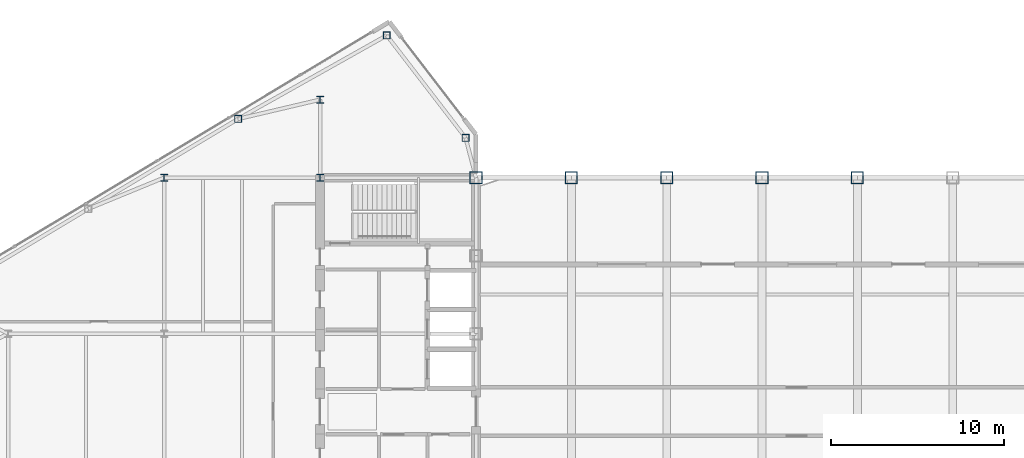
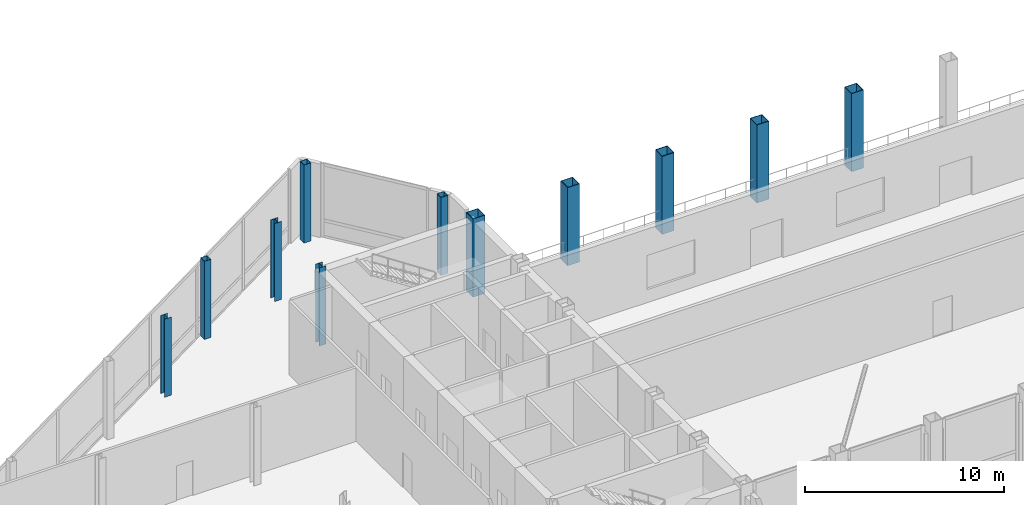
# One storey, part 3 of 28: 11 columns.
"""IFC4 building model written with IfcOpenShell, lengths in metres."""

from ifc_helpers import new_model, si_unit, direction, frame, origin, origin_2d, place, context, subcontext, project, spatial, hollow_rectangle, i_section, extrude, source, transform, mapped, material, material_profile, profile_set, type_object, type_shapes, element, save


model = new_model("IFC4")

# Units and contexts
model_context = context("Model", 3, precision=1e-05, world=origin(), true_north=direction((0.0, 1.0)))
body_context = subcontext(model_context, "Body", "Model", "MODEL_VIEW")
ifc_project = project(units=[si_unit("LENGTHUNIT", "METRE"), si_unit("AREAUNIT", "SQUARE_METRE"), si_unit("VOLUMEUNIT", "CUBIC_METRE"), si_unit("PLANEANGLEUNIT", "RADIAN"), si_unit("MASSUNIT", "GRAM", prefix="KILO")], contexts=[model_context])

# Site, building, storey
site_placement = place(None, origin())
site = spatial("IfcSite", under=ifc_project, at=site_placement, CompositionType="ELEMENT")
building_placement = place(site_placement, origin())
building = spatial("IfcBuilding", under=site, at=building_placement, Name="Seokmaru Belvedere", CompositionType="ELEMENT")
storey_placement = place(building_placement, frame((0.0, 0.0, 274.199951171875)))
storey = spatial("IfcBuildingStorey", under=building, at=storey_placement, Name="L72", CompositionType="ELEMENT", Elevation=274.199951171875)

# Columns
ifc_material = material(Name="Steel SM355 (355 MPa)", Category="steel")
ifc_material_profile_1 = material_profile(ifc_material, hollow_rectangle(XDim=0.699951171875, YDim=0.699951171875, WallThickness=0.030029296875, at=origin_2d()), Name="BOX-700x700x30")
ifc_profile_set_1 = profile_set([ifc_material_profile_1], Name="Steel SM355 (355 MPa)")
column_type_1 = type_object("IfcColumnType", Name="Upper Spine Column BOX-700", PredefinedType="COLUMN", material=ifc_profile_set_1)
shared_shape_1 = source(origin(), body_context, "Body", "SweptSolid", [
    extrude(hollow_rectangle(XDim=0.699951171875, YDim=0.699951171875, WallThickness=0.030029296875, at=origin_2d()), origin(), (0.0, 0.0, 1.0), 4.800048828125),
])
type_shapes(column_type_1, [shared_shape_1])
for number, where, z_axis, x_axis, name in (
    (1, (-27.5, 13.5, 0.0), (0.0, 0.0, 1.0), (1.0, 0.0, 0.0), "L72 Column WS6"),
    (2, (-22.0, 13.5, 0.0), (0.0, 0.0, 1.0), (1.0, 0.0, 0.0), "L72 Column BRN_1"),
    (3, (-16.5, 13.5, 0.0), (0.0, 0.0, 1.0), (1.0, 0.0, 0.0), "L72 Column BRN_2"),
    (4, (-11.0, 13.5, 0.0), (0.0, 0.0, 1.0), (1.0, 0.0, 0.0), "L72 Column BRN_3"),
    (5, (-5.5, 13.5, 0.0), (0.0, 0.0, 1.0), (1.0, 0.0, 0.0), "L72 Column BRN_4"),
):
    element("IfcColumn", number, at=place(storey_placement, frame(where, z_axis=z_axis, x_axis=x_axis)), inside=storey, type_object=column_type_1, Name=name, PredefinedType="COLUMN", context=body_context, shape_type="MappedRepresentation", body=[
        mapped(shared_shape_1, transform((0.0, 0.0, 0.0), scale=1.0)),
    ])
ifc_material_profile_2 = material_profile(ifc_material, hollow_rectangle(XDim=0.39990234375, YDim=0.39990234375, WallThickness=0.01611328125, at=origin_2d()), Name="HSS-400x400x16")
ifc_profile_set_2 = profile_set([ifc_material_profile_2], Name="Steel SM355 (355 MPa)")
column_type_2 = type_object("IfcColumnType", Name="Perimeter Facet Column HSS-400", PredefinedType="COLUMN", material=ifc_profile_set_2)
shared_shape_2 = source(origin(), body_context, "Body", "SweptSolid", [
    extrude(hollow_rectangle(XDim=0.39990234375, YDim=0.39990234375, WallThickness=0.01611328125, at=origin_2d()), origin(), (0.0, 0.0, 1.0), 4.800048828125),
])
type_shapes(column_type_2, [shared_shape_2])
for number, where, z_axis, x_axis, name in (
    (6, (-28.10009765625, 15.7958984375, 0.0), (0.0, 0.0, 1.0), (1.0, 0.0, 0.0), "L72 Column WF2"),
    (7, (-32.649658203125, 21.71044921875, 0.0), (0.0, 0.0, 1.0), (1.0, 0.0, 0.0), "L72 Column WF3"),
    (8, (-41.229736328125, 16.888916015625, 0.0), (0.0, 0.0, 1.0), (1.0, 0.0, 0.0), "L72 Column WFLK_N1"),
):
    element("IfcColumn", number, at=place(storey_placement, frame(where, z_axis=z_axis, x_axis=x_axis)), inside=storey, type_object=column_type_2, Name=name, PredefinedType="COLUMN", context=body_context, shape_type="MappedRepresentation", body=[
        mapped(shared_shape_2, transform((0.0, 0.0, 0.0), scale=1.0)),
    ])
ifc_material_profile_3 = material_profile(ifc_material, i_section(OverallWidth=0.39990234375, OverallDepth=0.39990234375, WebThickness=0.012939453125, FlangeThickness=0.02099609375, at=origin_2d()), Name="H-400x400x13x21")
ifc_profile_set_3 = profile_set([ifc_material_profile_3], Name="Steel SM355 (355 MPa)")
column_type_3 = type_object("IfcColumnType", Name="Observatory Column H-400", PredefinedType="COLUMN", material=ifc_profile_set_3)
shared_shape_3 = source(origin(), body_context, "Body", "SweptSolid", [
    extrude(i_section(OverallWidth=0.39990234375, OverallDepth=0.39990234375, WebThickness=0.012939453125, FlangeThickness=0.02099609375, at=origin_2d()), origin(), (0.0, 0.0, 1.0), 4.800048828125),
])
type_shapes(column_type_3, [shared_shape_3])
for number, where, z_axis, x_axis, name in (
    (9, (-36.5, 13.5, 0.0), (0.0, 0.0, 1.0), (1.0, 0.0, 0.0), "L72 Column WC3"),
    (10, (-36.5, 18.0, 0.0), (0.0, 0.0, 1.0), (1.0, 0.0, 0.0), "L72 Column WC4"),
    (11, (-45.5, 13.5, 0.0), (0.0, 0.0, 1.0), (1.0, 0.0, 0.0), "L72 Column WG5_4"),
):
    element("IfcColumn", number, at=place(storey_placement, frame(where, z_axis=z_axis, x_axis=x_axis)), inside=storey, type_object=column_type_3, Name=name, PredefinedType="COLUMN", context=body_context, shape_type="MappedRepresentation", body=[
        mapped(shared_shape_3, transform((0.0, 0.0, 0.0), scale=1.0)),
    ])

save(model, "model.ifc")
